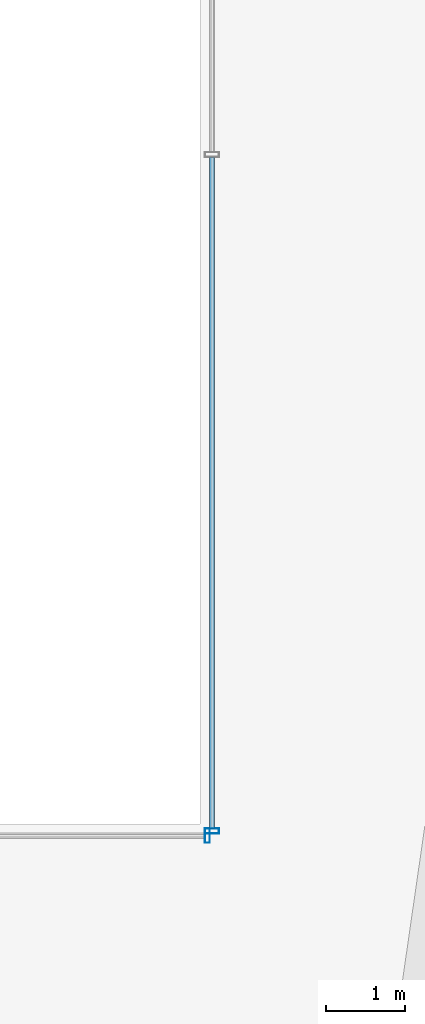
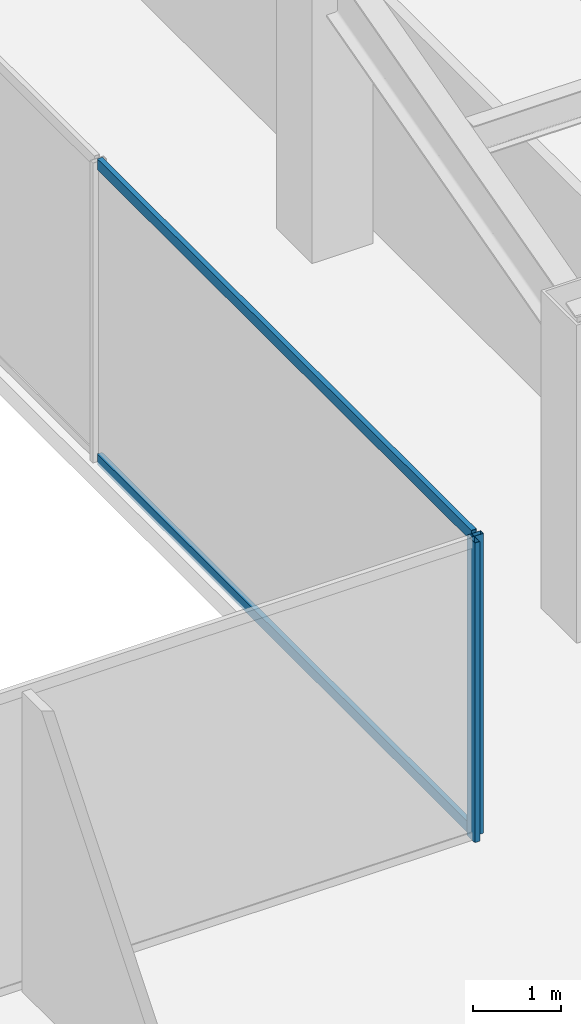
# One storey, part 18 of 47: 4 members, 2 elements without a shape of their own.
"""IFC4 building model written with IfcOpenShell, lengths in metres."""

from ifc_helpers import new_model, si_unit, direction, frame, origin, origin_2d, place, context, subcontext, project, spatial, hollow_rectangle, extrude, material, material_profile, profile_set, type_object, element, aggregate, save


model = new_model("IFC4")

# Units and contexts
model_context = context("Model", 3, precision=1e-05, world=origin(), true_north=direction((0.0, 1.0)))
body_context = subcontext(model_context, "Body", "Model", "MODEL_VIEW")
ifc_project = project(units=[si_unit("LENGTHUNIT", "METRE"), si_unit("AREAUNIT", "SQUARE_METRE"), si_unit("VOLUMEUNIT", "CUBIC_METRE"), si_unit("PLANEANGLEUNIT", "RADIAN"), si_unit("MASSUNIT", "GRAM", prefix="KILO")], contexts=[model_context])

# Site, building, storey
site_placement = place(None, origin())
site = spatial("IfcSite", under=ifc_project, at=site_placement, CompositionType="ELEMENT")
building_placement = place(site_placement, origin())
building = spatial("IfcBuilding", under=site, at=building_placement, Name="Saevonmaru Cultural Tower", CompositionType="ELEMENT")
storey_placement = place(building_placement, frame((0.0, 0.0, 60.39990234375)))
storey = spatial("IfcBuildingStorey", under=building, at=storey_placement, Name="L12", CompositionType="ELEMENT", Elevation=60.39990234375)

# Curtain wall, member
ifc_material = material(Name="Satin Bronze Anodised Aluminium", Category="aluminium")
curtain_wall_type = type_object("IfcCurtainWallType", Name="CW-ATR-GLZ", PredefinedType="NOTDEFINED", material=ifc_material)
curtain_wall_1_placement = place(storey_placement, origin())
curtain_wall_1 = element("IfcCurtainWall", 1, at=curtain_wall_1_placement, inside=storey, type_object=curtain_wall_type, Name="L12 Vertical Atrium Glazed Smoke Screen 1", PredefinedType="NOTDEFINED")
ifc_material_profile_1 = material_profile(ifc_material, hollow_rectangle(XDim=0.06494140625, YDim=0.179931640625, WallThickness=0.00390625, at=origin_2d()), Name="ALU-MULL-180x65x4")
ifc_profile_set_1 = profile_set([ifc_material_profile_1], Name="Satin Bronze Anodised Aluminium")
member_type_1 = type_object("IfcMemberType", Name="ML-CW-INT-180x65", PredefinedType="MULLION", material=ifc_profile_set_1)
member_1_placement = place(storey_placement, frame((35.889892578125, 20.85009765625, 0.0), z_axis=(0.0, 0.0, 1.0), x_axis=(1.0, 0.0, 0.0)))
member_1 = element("IfcMember", 2, at=member_1_placement, type_object=member_type_1, Name="CW-ATR-L12-1 mullion 2", PredefinedType="MULLION", context=body_context, shape_type="SweptSolid", body=[
    extrude(hollow_rectangle(XDim=0.06494140625, YDim=0.179931640625, WallThickness=0.00390625, at=origin_2d()), origin(), (0.0, 0.0, 1.0), 4.150146484375),
])
aggregate(curtain_wall_1, [member_1])

# Curtain wall, members
curtain_wall_2_placement = place(storey_placement, origin())
curtain_wall_2 = element("IfcCurtainWall", 3, at=curtain_wall_2_placement, inside=storey, type_object=curtain_wall_type, Name="L12 Vertical Atrium Glazed Smoke Screen 2", PredefinedType="NOTDEFINED")
member_2_placement = place(storey_placement, frame((35.949951171875, 20.909912109375, 0.0), z_axis=(0.0, 0.0, 1.0), x_axis=(0.0, 1.0, 0.0)))
member_2 = element("IfcMember", 4, at=member_2_placement, type_object=member_type_1, Name="CW-ATR-L12-2 mullion 1", PredefinedType="MULLION", context=body_context, shape_type="SweptSolid", body=[
    extrude(hollow_rectangle(XDim=0.06494140625, YDim=0.179931640625, WallThickness=0.00390625, at=origin_2d()), origin(), (0.0, 0.0, 1.0), 4.150146484375),
])
ifc_material_profile_2 = material_profile(ifc_material, hollow_rectangle(XDim=0.06494140625, YDim=0.14990234375, WallThickness=0.00390625, at=origin_2d()), Name="ALU-TRAN-150x65x4")
ifc_profile_set_2 = profile_set([ifc_material_profile_2], Name="Satin Bronze Anodised Aluminium")
member_type_2 = type_object("IfcMemberType", Name="TR-CW-INT-150x65", PredefinedType="USERDEFINED", material=ifc_profile_set_2)
member_3_placement = place(storey_placement, frame((35.949951171875, 20.9423828125, 0.03271484375), z_axis=(0.0, 1.0, 0.0), x_axis=(-1.0, 0.0, 0.0)))
member_3 = element("IfcMember", 5, at=member_3_placement, type_object=member_type_2, Name="CW-ATR-L12-2 transom 1.1", ObjectType="TRANSOM", PredefinedType="USERDEFINED", context=body_context, shape_type="SweptSolid", body=[
    extrude(hollow_rectangle(XDim=0.06494140625, YDim=0.14990234375, WallThickness=0.00390625, at=origin_2d()), origin(), (0.0, 0.0, 1.0), 8.485107421875),
])
member_4_placement = place(storey_placement, frame((35.949951171875, 20.9423828125, 4.11767578125), z_axis=(0.0, 1.0, 0.0), x_axis=(-1.0, 0.0, 0.0)))
member_4 = element("IfcMember", 6, at=member_4_placement, type_object=member_type_2, Name="CW-ATR-L12-2 transom 1.2", ObjectType="TRANSOM", PredefinedType="USERDEFINED", context=body_context, shape_type="SweptSolid", body=[
    extrude(hollow_rectangle(XDim=0.06494140625, YDim=0.14990234375, WallThickness=0.00390625, at=origin_2d()), origin(), (0.0, 0.0, 1.0), 8.485107421875),
])
aggregate(curtain_wall_2, [member_2, member_3, member_4])

save(model, "model.ifc")
